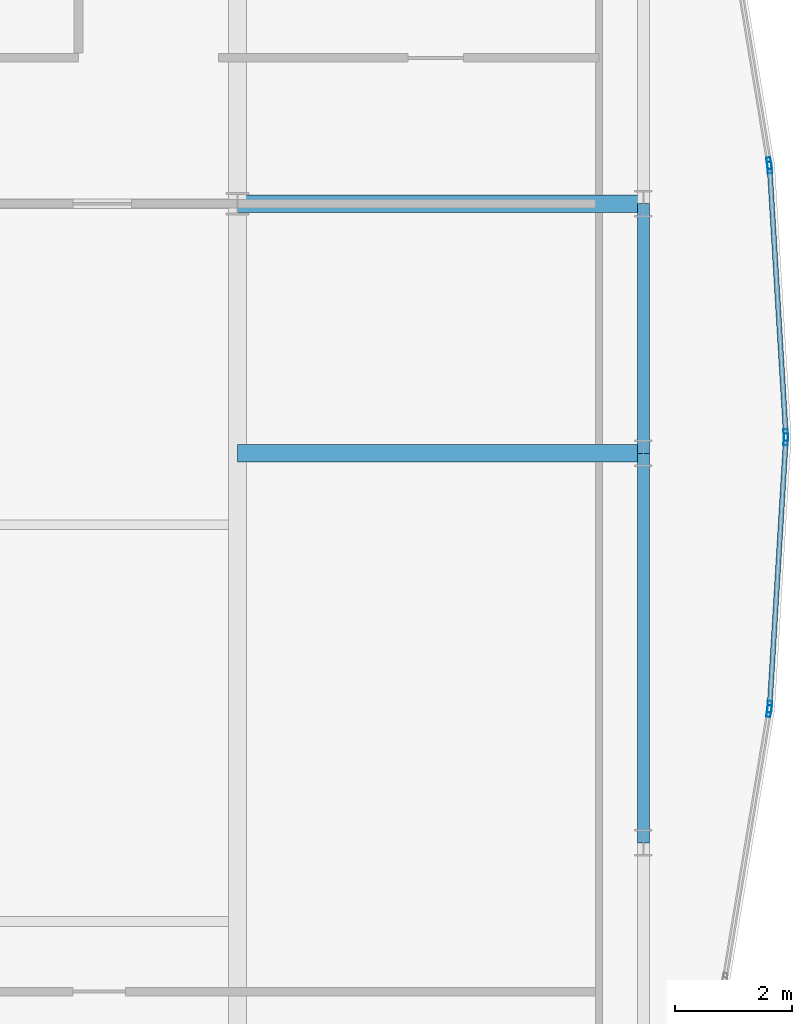
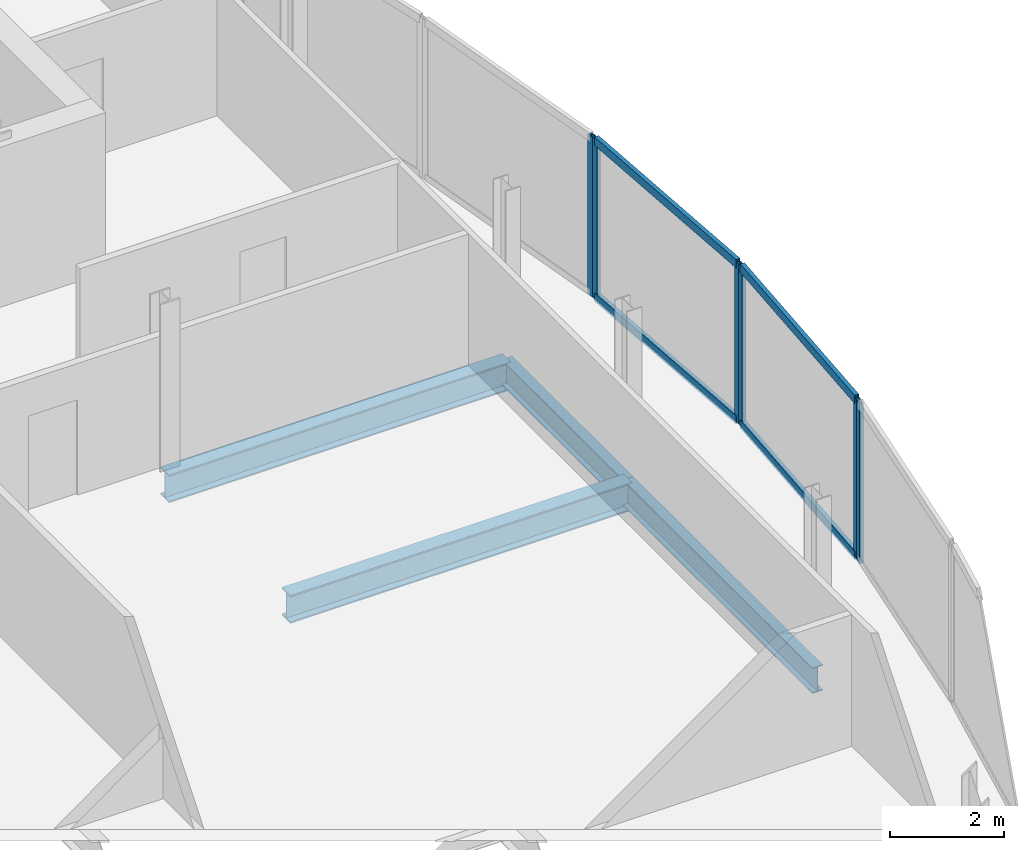
# One storey, part 18 of 29: 10 members, 4 beams, 4 elements without a shape of their own.
"""IFC4 building model written with IfcOpenShell, lengths in metres."""

from ifc_helpers import new_model, si_unit, direction, frame, origin, origin_2d, place, context, subcontext, project, spatial, hollow_rectangle, i_section, extrude, material, material_profile, profile_set, type_object, element, aggregate, save


model = new_model("IFC4")

# Units and contexts
model_context = context("Model", 3, precision=1e-05, world=origin(), true_north=direction((0.0, 1.0)))
body_context = subcontext(model_context, "Body", "Model", "MODEL_VIEW")
ifc_project = project(units=[si_unit("LENGTHUNIT", "METRE"), si_unit("AREAUNIT", "SQUARE_METRE"), si_unit("VOLUMEUNIT", "CUBIC_METRE"), si_unit("PLANEANGLEUNIT", "RADIAN"), si_unit("MASSUNIT", "GRAM", prefix="KILO")], contexts=[model_context])

# Site, building, storey
site_placement = place(None, origin())
site = spatial("IfcSite", under=ifc_project, at=site_placement, CompositionType="ELEMENT")
building_placement = place(site_placement, origin())
building = spatial("IfcBuilding", under=site, at=building_placement, Name="Khoronbel Lancet Exchange", CompositionType="ELEMENT")
storey_placement = place(building_placement, frame((0.0, 0.0, 318.199951171875)))
storey = spatial("IfcBuildingStorey", under=building, at=storey_placement, Name="L82", CompositionType="ELEMENT", Elevation=318.199951171875)

# Beams
ifc_material_1 = material(Name="Steel S355", Category="steel")
ifc_material_profile_1 = material_profile(ifc_material_1, i_section(OverallWidth=0.300048828125, OverallDepth=0.60009765625, WebThickness=0.015380859375, FlangeThickness=0.030029296875, at=origin_2d()), Name="HEB 600")
ifc_profile_set_1 = profile_set([ifc_material_profile_1], Name="Steel S355")
beam_type_1 = type_object("IfcBeamType", Name="BM-BG5", PredefinedType="BEAM", material=ifc_profile_set_1)
for number, where, z_axis, x_axis, name in (
    (1, (54.675048828125, 31.425048828125, -0.4599609375), (1.0, 0.0, 0.0), (0.0, 1.0, 0.0), "Level L82 east lens tie girder LG2E"),
    (2, (54.675048828125, 35.699951171875, -0.4599609375), (1.0, 0.0, 0.0), (0.0, 1.0, 0.0), "Level L82 east lens tie girder LG4E"),
):
    element("IfcBeam", number, at=place(storey_placement, frame(where, z_axis=z_axis, x_axis=x_axis)), inside=storey, type_object=beam_type_1, Name=name, PredefinedType="BEAM", context=body_context, shape_type="SweptSolid", body=[
        extrude(i_section(OverallWidth=0.300048828125, OverallDepth=0.60009765625, WebThickness=0.015380859375, FlangeThickness=0.030029296875, at=origin_2d()), origin(), (0.0, 0.0, 1.0), 6.954833984375),
    ])
ifc_material_profile_2 = material_profile(ifc_material_1, i_section(OverallWidth=0.2099609375, OverallDepth=0.550048828125, WebThickness=0.010986328125, FlangeThickness=0.01708984375, at=origin_2d()), Name="IPE 550")
ifc_profile_set_2 = profile_set([ifc_material_profile_2], Name="Steel S355")
beam_type_2 = type_object("IfcBeamType", Name="BM-BSP3", PredefinedType="SPANDREL", material=ifc_profile_set_2)
beam_1_placement = place(storey_placement, frame((61.6298828125, 24.75, -0.43505859375), z_axis=(0.0, 1.0, 0.0), x_axis=(-1.0, 0.0, 0.0)))
element("IfcBeam", 3, at=beam_1_placement, inside=storey, type_object=beam_type_2, Name="Level L82 perimeter spandrel beam SP10", PredefinedType="SPANDREL", context=body_context, shape_type="SweptSolid", body=[
    extrude(i_section(OverallWidth=0.2099609375, OverallDepth=0.550048828125, WebThickness=0.010986328125, FlangeThickness=0.01708984375, at=origin_2d()), origin(), (0.0, 0.0, 1.0), 6.675048828125),
])
beam_2_placement = place(storey_placement, frame((61.6298828125, 31.425048828125, -0.43505859375), z_axis=(0.0, 1.0, 0.0), x_axis=(-1.0, 0.0, 0.0)))
element("IfcBeam", 4, at=beam_2_placement, inside=storey, type_object=beam_type_2, Name="Level L82 perimeter spandrel beam SP11", PredefinedType="SPANDREL", context=body_context, shape_type="SweptSolid", body=[
    extrude(i_section(OverallWidth=0.2099609375, OverallDepth=0.550048828125, WebThickness=0.010986328125, FlangeThickness=0.01708984375, at=origin_2d()), origin(), (0.0, 0.0, 1.0), 4.27490234375),
])

# Curtain wall, member
ifc_material_2 = material(Name="Low-E Solar Control Insulating Glass", Category="glass")
curtain_wall_type = type_object("IfcCurtainWallType", Name="CW-4", PredefinedType="NOTDEFINED", material=ifc_material_2)
curtain_wall_1_placement = place(storey_placement, origin())
curtain_wall_1 = element("IfcCurtainWall", 5, at=curtain_wall_1_placement, inside=storey, type_object=curtain_wall_type, Name="Unitised curtain wall CW-L82-E18", PredefinedType="NOTDEFINED")
ifc_material_3 = material(Name="Bronze-Anodised Aluminium 6063-T6", Category="aluminium")
ifc_material_profile_3 = material_profile(ifc_material_3, hollow_rectangle(XDim=0.074951171875, YDim=0.199951171875, WallThickness=0.0048828125, at=origin_2d()), Name="ALU MULLION 75x200")
ifc_profile_set_3 = profile_set([ifc_material_profile_3], Name="Bronze-Anodised Aluminium 6063-T6")
member_type_1 = type_object("IfcMemberType", Name="MEM-CWM2", PredefinedType="MULLION", material=ifc_profile_set_3)
member_1_placement = place(storey_placement, frame((63.78369140625, 36.3935546875, 0.0), z_axis=(0.0, 0.0, 1.0), x_axis=(0.986546857696, 0.163478737362, 0.0)))
member_1 = element("IfcMember", 6, at=member_1_placement, type_object=member_type_1, Name="CW4 mullion 2", PredefinedType="MULLION", context=body_context, shape_type="SweptSolid", body=[
    extrude(hollow_rectangle(XDim=0.074951171875, YDim=0.199951171875, WallThickness=0.0048828125, at=origin_2d()), origin(), (0.0, 0.0, 1.0), 3.43994140625),
])
aggregate(curtain_wall_1, [member_1])

# Curtain wall, members
curtain_wall_2_placement = place(storey_placement, origin())
curtain_wall_2 = element("IfcCurtainWall", 7, at=curtain_wall_2_placement, inside=storey, type_object=curtain_wall_type, Name="Unitised curtain wall CW-L82-E19", PredefinedType="NOTDEFINED")
member_2_placement = place(storey_placement, frame((63.792236328125, 36.319091796875, 0.0), z_axis=(0.0, 0.0, 1.0), x_axis=(0.998166142481, 0.06053389138, 0.0)))
member_2 = element("IfcMember", 8, at=member_2_placement, type_object=member_type_1, Name="CW4 mullion 1", PredefinedType="MULLION", context=body_context, shape_type="SweptSolid", body=[
    extrude(hollow_rectangle(XDim=0.074951171875, YDim=0.199951171875, WallThickness=0.0048828125, at=origin_2d()), origin(), (0.0, 0.0, 1.0), 3.43994140625),
])
member_3_placement = place(storey_placement, frame((64.070068359375, 31.737548828125, 0.0), z_axis=(0.0, 0.0, 1.0), x_axis=(0.998166142481, 0.06053389138, 0.0)))
member_3 = element("IfcMember", 9, at=member_3_placement, type_object=member_type_1, Name="CW4 mullion 2", PredefinedType="MULLION", context=body_context, shape_type="SweptSolid", body=[
    extrude(hollow_rectangle(XDim=0.074951171875, YDim=0.199951171875, WallThickness=0.0048828125, at=origin_2d()), origin(), (0.0, 0.0, 1.0), 3.43994140625),
])

curtain_wall_3_placement = place(storey_placement, origin())
curtain_wall_3 = element("IfcCurtainWall", 10, at=curtain_wall_3_placement, inside=storey, type_object=curtain_wall_type, Name="Unitised curtain wall CW-L82-E20", PredefinedType="NOTDEFINED")
member_4_placement = place(storey_placement, frame((64.070068359375, 31.66259765625, 0.0), z_axis=(0.0, 0.0, 1.0), x_axis=(0.998166142481, -0.06053389138, 0.0)))
member_4 = element("IfcMember", 11, at=member_4_placement, type_object=member_type_1, Name="CW4 mullion 1", PredefinedType="MULLION", context=body_context, shape_type="SweptSolid", body=[
    extrude(hollow_rectangle(XDim=0.074951171875, YDim=0.199951171875, WallThickness=0.0048828125, at=origin_2d()), origin(), (0.0, 0.0, 1.0), 3.43994140625),
])
member_5_placement = place(storey_placement, frame((63.792236328125, 27.080810546875, 0.0), z_axis=(0.0, 0.0, 1.0), x_axis=(0.998166142481, -0.06053389138, 0.0)))
member_5 = element("IfcMember", 12, at=member_5_placement, type_object=member_type_1, Name="CW4 mullion 2", PredefinedType="MULLION", context=body_context, shape_type="SweptSolid", body=[
    extrude(hollow_rectangle(XDim=0.074951171875, YDim=0.199951171875, WallThickness=0.0048828125, at=origin_2d()), origin(), (0.0, 0.0, 1.0), 3.43994140625),
])

# Curtain wall, member
curtain_wall_4_placement = place(storey_placement, origin())
curtain_wall_4 = element("IfcCurtainWall", 13, at=curtain_wall_4_placement, inside=storey, type_object=curtain_wall_type, Name="Unitised curtain wall CW-L82-E21", PredefinedType="NOTDEFINED")
member_6_placement = place(storey_placement, frame((63.78369140625, 27.00634765625, 0.0), z_axis=(0.0, 0.0, 1.0), x_axis=(0.986546857696, -0.163478737362, 0.0)))
member_6 = element("IfcMember", 14, at=member_6_placement, type_object=member_type_1, Name="CW4 mullion 1", PredefinedType="MULLION", context=body_context, shape_type="SweptSolid", body=[
    extrude(hollow_rectangle(XDim=0.074951171875, YDim=0.199951171875, WallThickness=0.0048828125, at=origin_2d()), origin(), (0.0, 0.0, 1.0), 3.43994140625),
])
aggregate(curtain_wall_4, [member_6])

# Member
ifc_material_profile_4 = material_profile(ifc_material_3, hollow_rectangle(XDim=0.0849609375, YDim=0.179931640625, WallThickness=0.0048828125, at=origin_2d()), Name="ALU TRANSOM 85x180")
ifc_profile_set_4 = profile_set([ifc_material_profile_4], Name="Bronze-Anodised Aluminium 6063-T6")
member_type_2 = type_object("IfcMemberType", Name="MEM-CWT1", PredefinedType="USERDEFINED", material=ifc_profile_set_4)
member_7_placement = place(storey_placement, frame((63.79443359375, 36.28173828125, 0.04248046875), z_axis=(0.060560361931, -0.998164536819, 0.0), x_axis=(0.998164536819, 0.060560361931, 0.0)))
member_7 = element("IfcMember", 15, at=member_7_placement, type_object=member_type_2, Name="CW4 transom 1.1", ObjectType="TRANSOM", PredefinedType="USERDEFINED", context=body_context, shape_type="SweptSolid", body=[
    extrude(hollow_rectangle(XDim=0.0849609375, YDim=0.179931640625, WallThickness=0.0048828125, at=origin_2d()), origin(), (0.0, 0.0, 1.0), 4.51513671875),
])

member_8_placement = place(storey_placement, frame((63.79443359375, 36.28173828125, 3.3974609375), z_axis=(0.060560361931, -0.998164536819, 0.0), x_axis=(0.998164536819, 0.060560361931, 0.0)))
member_8 = element("IfcMember", 16, at=member_8_placement, type_object=member_type_2, Name="CW4 transom 1.2", ObjectType="TRANSOM", PredefinedType="USERDEFINED", context=body_context, shape_type="SweptSolid", body=[
    extrude(hollow_rectangle(XDim=0.0849609375, YDim=0.179931640625, WallThickness=0.0048828125, at=origin_2d()), origin(), (0.0, 0.0, 1.0), 4.51513671875),
])

aggregate(curtain_wall_2, [member_2, member_3, member_7, member_8])

member_9_placement = place(storey_placement, frame((64.06787109375, 31.625244140625, 0.04248046875), z_axis=(-0.060557093512, -0.998164735114, 0.0), x_axis=(0.998164735114, -0.060557093512, 0.0)))
member_9 = element("IfcMember", 17, at=member_9_placement, type_object=member_type_2, Name="CW4 transom 1.1", ObjectType="TRANSOM", PredefinedType="USERDEFINED", context=body_context, shape_type="SweptSolid", body=[
    extrude(hollow_rectangle(XDim=0.0849609375, YDim=0.179931640625, WallThickness=0.0048828125, at=origin_2d()), origin(), (0.0, 0.0, 1.0), 4.515380859375),
])

member_10_placement = place(storey_placement, frame((64.06787109375, 31.625244140625, 3.3974609375), z_axis=(-0.060557093512, -0.998164735114, 0.0), x_axis=(0.998164735114, -0.060557093512, 0.0)))
member_10 = element("IfcMember", 18, at=member_10_placement, type_object=member_type_2, Name="CW4 transom 1.2", ObjectType="TRANSOM", PredefinedType="USERDEFINED", context=body_context, shape_type="SweptSolid", body=[
    extrude(hollow_rectangle(XDim=0.0849609375, YDim=0.179931640625, WallThickness=0.0048828125, at=origin_2d()), origin(), (0.0, 0.0, 1.0), 4.515380859375),
])

aggregate(curtain_wall_3, [member_4, member_5, member_9, member_10])

save(model, "model.ifc")
